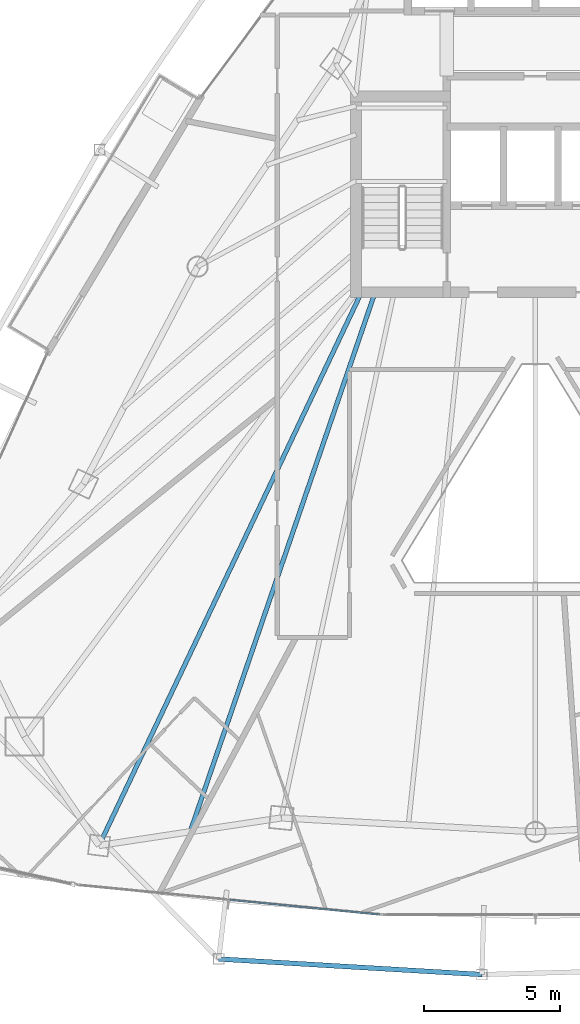
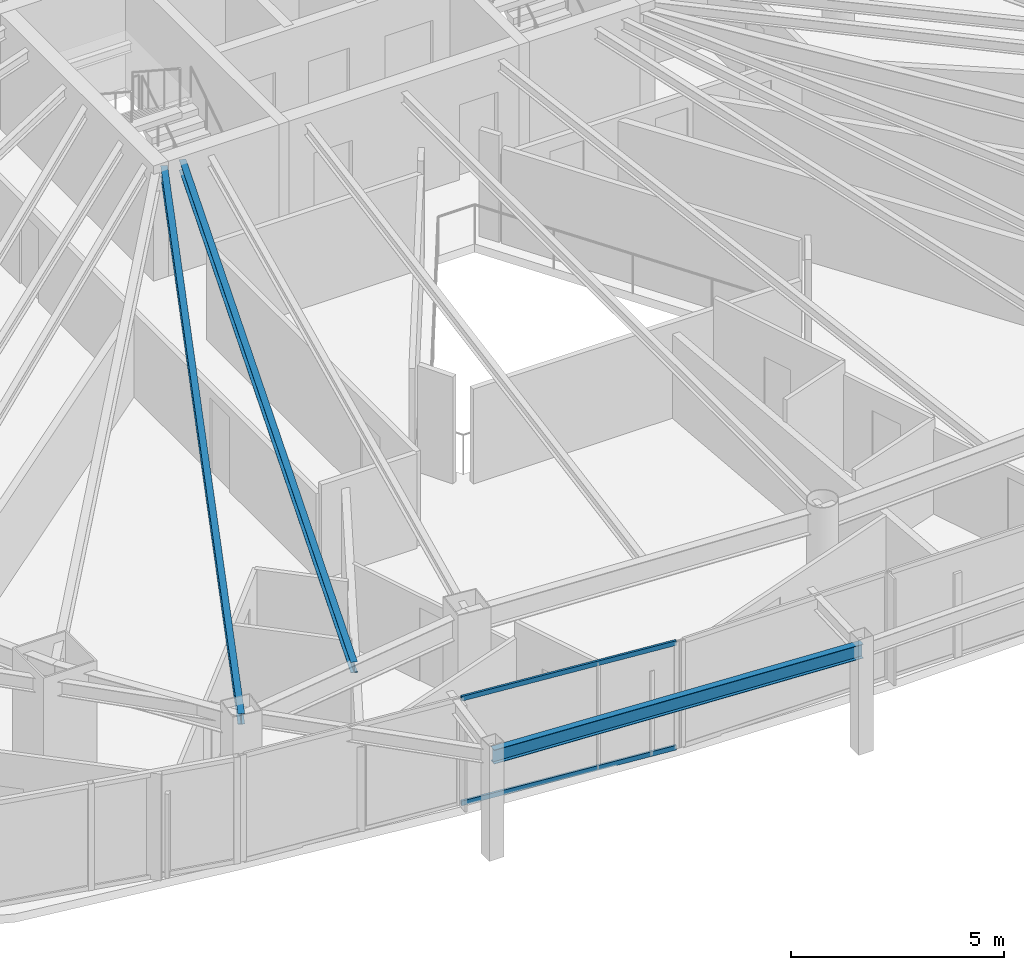
# One storey, part 6 of 29: 3 beams, 2 members, 1 element without a shape of its own.
"""IFC4 building model written with IfcOpenShell, lengths in metres."""

from ifc_helpers import new_model, si_unit, direction, frame, origin, origin_2d, place, context, subcontext, project, spatial, hollow_rectangle, i_section, extrude, material, layer, layer_set, material_profile, profile_set, type_object, element, aggregate, save


model = new_model("IFC4")

# Units and contexts
model_context = context("Model", 3, precision=1e-05, world=origin(), true_north=direction((0.0, 1.0)))
body_context = subcontext(model_context, "Body", "Model", "MODEL_VIEW")
ifc_project = project(units=[si_unit("LENGTHUNIT", "METRE"), si_unit("AREAUNIT", "SQUARE_METRE"), si_unit("VOLUMEUNIT", "CUBIC_METRE"), si_unit("PLANEANGLEUNIT", "RADIAN"), si_unit("MASSUNIT", "GRAM", prefix="KILO")], contexts=[model_context])

# Site, building, storey
site_placement = place(None, origin())
site = spatial("IfcSite", under=ifc_project, at=site_placement, CompositionType="ELEMENT")
building_placement = place(site_placement, origin())
building = spatial("IfcBuilding", under=site, at=building_placement, Name="Orvanel Arch Residences", CompositionType="ELEMENT")
storey_placement = place(building_placement, frame((0.0, 0.0, 163.85009765625)))
storey = spatial("IfcBuildingStorey", under=building, at=storey_placement, Name="L46", CompositionType="ELEMENT", Elevation=163.85009765625)

# Beams
ifc_material_1 = material(Name="Structural steel AS/NZS 3679.1 Grade 300 (300 MPa)", Category="steel")
ifc_material_profile_1 = material_profile(ifc_material_1, i_section(OverallWidth=0.1650390625, OverallDepth=0.303955078125, WebThickness=0.006103515625, FlangeThickness=0.01025390625, at=origin_2d()), Name="310UB40.4")
ifc_profile_set_1 = profile_set([ifc_material_profile_1], Name="Structural steel AS/NZS 3679.1 Grade 300 (300 MPa)")
beam_type_1 = type_object("IfcBeamType", Name="BJ-310UB", PredefinedType="JOIST", material=ifc_profile_set_1)
beam_1_placement = place(storey_placement, frame((26.60009765625, 26.699951171875, 2.907958984375), z_axis=(-0.428614365266, -0.903487534993, 0.0), x_axis=(0.903487534993, -0.428614365266, 0.0)))
element("IfcBeam", 1, at=beam_1_placement, inside=storey, type_object=beam_type_1, Name="L46 MSW Wing Floor Joist", PredefinedType="JOIST", context=body_context, shape_type="SweptSolid", body=[
    extrude(i_section(OverallWidth=0.1650390625, OverallDepth=0.303955078125, WebThickness=0.006103515625, FlangeThickness=0.01025390625, at=origin_2d()), origin(), (0.0, 0.0, 1.0), 22.535888671875),
])
beam_2_placement = place(storey_placement, frame((27.10009765625, 26.699951171875, 2.907958984375), z_axis=(-0.324257108963, -0.945968988544, 0.0), x_axis=(0.945968988544, -0.324257108963, 0.0)))
element("IfcBeam", 2, at=beam_2_placement, inside=storey, type_object=beam_type_1, Name="L46 JADD1 Wing Floor Joist", PredefinedType="JOIST", context=body_context, shape_type="SweptSolid", body=[
    extrude(i_section(OverallWidth=0.1650390625, OverallDepth=0.303955078125, WebThickness=0.006103515625, FlangeThickness=0.01025390625, at=origin_2d()), origin(), (0.0, 0.0, 1.0), 20.987060546875),
])
ifc_material_profile_2 = material_profile(ifc_material_1, i_section(OverallWidth=0.177978515625, OverallDepth=0.406005859375, WebThickness=0.0078125, FlangeThickness=0.0126953125, at=origin_2d()), Name="410UB59.7")
ifc_profile_set_2 = profile_set([ifc_material_profile_2], Name="Structural steel AS/NZS 3679.1 Grade 300 (300 MPa)")
beam_type_2 = type_object("IfcBeamType", Name="OB-410UB-EXT", PredefinedType="SPANDREL", material=ifc_profile_set_2)
beam_3_placement = place(storey_placement, frame((21.345947265625, 2.1640625, 2.85693359375), z_axis=(0.998254445166, -0.059059823111, 0.0), x_axis=(0.059059823111, 0.998254445166, 0.0)))
element("IfcBeam", 3, at=beam_3_placement, inside=storey, type_object=beam_type_2, Name="L46 Outer Perimeter Floor Ring Beam 05", PredefinedType="SPANDREL", context=body_context, shape_type="SweptSolid", body=[
    extrude(i_section(OverallWidth=0.177978515625, OverallDepth=0.406005859375, WebThickness=0.0078125, FlangeThickness=0.0126953125, at=origin_2d()), origin(), (0.0, 0.0, 1.0), 9.701904296875),
])

# Curtain wall, members
ifc_material_2 = material(Name="Bronze-anodised aluminium AA6063-T6", Category="aluminium")
ifc_layer = layer(ifc_material_2, 0.179931640625)
ifc_layer_set = layer_set([ifc_layer], Name="Bronze-anodised aluminium AA6063-T6")
curtain_wall_type = type_object("IfcCurtainWallType", Name="CW3-MID-SYS", PredefinedType="NOTDEFINED", material=ifc_layer_set)
curtain_wall_placement = place(storey_placement, origin())
curtain_wall = element("IfcCurtainWall", 4, at=curtain_wall_placement, inside=storey, type_object=curtain_wall_type, Name="L46 CW3-MID-SYS Unitised Curtain Wall", PredefinedType="NOTDEFINED")
ifc_material_profile_3 = material_profile(ifc_material_2, hollow_rectangle(XDim=0.06005859375, YDim=0.135009765625, WallThickness=0.00390625, at=origin_2d()), Name="ALU135x60x4")
ifc_profile_set_3 = profile_set([ifc_material_profile_3], Name="Bronze-anodised aluminium AA6063-T6")
member_type = type_object("IfcMemberType", Name="TRN-135x60", PredefinedType="USERDEFINED", material=ifc_profile_set_3)
member_1_placement = place(storey_placement, frame((21.75244140625, 4.341064453125, 0.02978515625), z_axis=(0.995255824689, -0.097292566125, 0.0), x_axis=(0.097292566125, 0.995255824689, 0.0)))
member_1 = element("IfcMember", 5, at=member_1_placement, type_object=member_type, Name="CW-S3 transom 2.1", ObjectType="TRANSOM", PredefinedType="USERDEFINED", context=body_context, shape_type="SweptSolid", body=[
    extrude(hollow_rectangle(XDim=0.06005859375, YDim=0.135009765625, WallThickness=0.00390625, at=origin_2d()), origin(), (0.0, 0.0, 1.0), 5.543212890625),
])
member_2_placement = place(storey_placement, frame((21.75244140625, 4.341064453125, 3.02978515625), z_axis=(0.995255824689, -0.097292566125, 0.0), x_axis=(0.097292566125, 0.995255824689, 0.0)))
member_2 = element("IfcMember", 6, at=member_2_placement, type_object=member_type, Name="CW-S3 transom 2.2", ObjectType="TRANSOM", PredefinedType="USERDEFINED", context=body_context, shape_type="SweptSolid", body=[
    extrude(hollow_rectangle(XDim=0.06005859375, YDim=0.135009765625, WallThickness=0.00390625, at=origin_2d()), origin(), (0.0, 0.0, 1.0), 5.543212890625),
])
aggregate(curtain_wall, [member_1, member_2])

save(model, "model.ifc")
